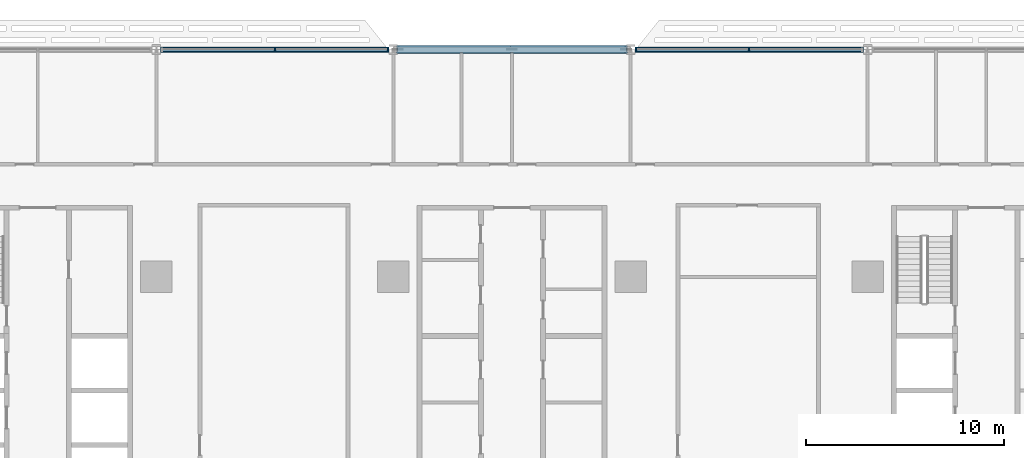
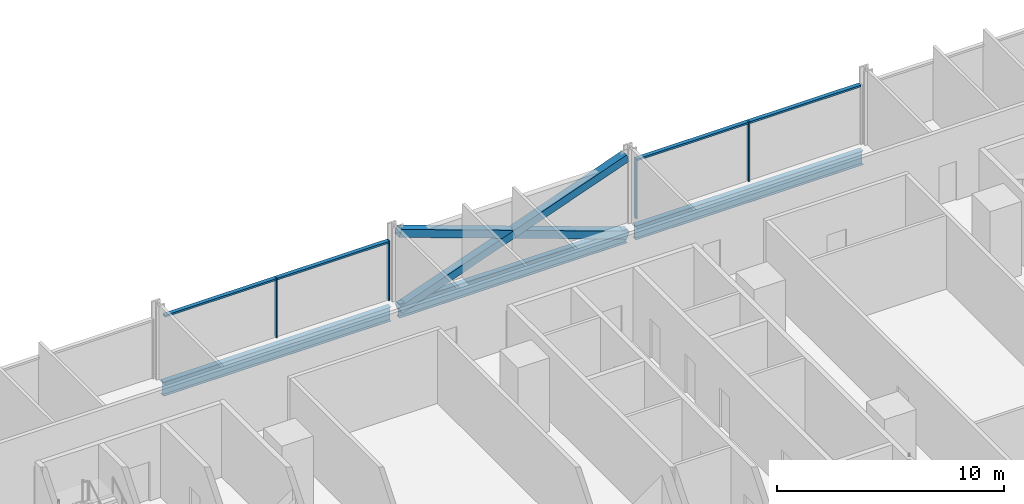
# One storey, part 6 of 29: 11 members, 3 beams, 2 elements without a shape of their own.
"""IFC4 building model written with IfcOpenShell, lengths in metres."""

from ifc_helpers import new_model, si_unit, direction, frame, origin, origin_2d, place, context, subcontext, project, spatial, rectangle, hollow_rectangle, i_section, extrude, material, material_profile, profile_set, type_object, element, aggregate, save


model = new_model("IFC4")

# Units and contexts
model_context = context("Model", 3, precision=1e-05, world=origin(), true_north=direction((0.0, 1.0)))
body_context = subcontext(model_context, "Body", "Model", "MODEL_VIEW")
ifc_project = project(units=[si_unit("LENGTHUNIT", "METRE"), si_unit("AREAUNIT", "SQUARE_METRE"), si_unit("VOLUMEUNIT", "CUBIC_METRE"), si_unit("PLANEANGLEUNIT", "RADIAN"), si_unit("MASSUNIT", "GRAM", prefix="KILO")], contexts=[model_context])

# Site, building, storey
site_placement = place(None, origin())
site = spatial("IfcSite", under=ifc_project, at=site_placement, CompositionType="ELEMENT")
building_placement = place(site_placement, origin())
building = spatial("IfcBuilding", under=site, at=building_placement, Name="Mahtab Terrace Research Tower", CompositionType="ELEMENT")
storey_placement = place(building_placement, frame((0.0, 0.0, 20.10009765625)))
storey = spatial("IfcBuildingStorey", under=building, at=storey_placement, Name="L04", CompositionType="ELEMENT", Elevation=20.10009765625)

# Members
ifc_material_1 = material(Name="Steel ASTM A500 Gr C", Category="steel")
ifc_material_profile_1 = material_profile(ifc_material_1, hollow_rectangle(XDim=0.406494140625, YDim=0.406494140625, WallThickness=0.01904296875, at=origin_2d()), Name="HSS16X16X3/4")
ifc_profile_set_1 = profile_set([ifc_material_profile_1], Name="Steel ASTM A500 Gr C")
member_type_1 = type_object("IfcMemberType", Name="HSS 16x16x3/4 brace XB161634", PredefinedType="BRACE", material=ifc_profile_set_1)
member_1_placement = place(storey_placement, frame((5.7841796875, 23.0, -0.64111328125), z_axis=(-0.941388097231, 0.0, 0.337325436917), x_axis=(0.0, -1.0, 0.0)))
element("IfcMember", 1, at=member_1_placement, inside=storey, type_object=member_type_1, Name="Exoskeleton brace L04 04 a", PredefinedType="BRACE", context=body_context, shape_type="SweptSolid", body=[
    extrude(hollow_rectangle(XDim=0.406494140625, YDim=0.406494140625, WallThickness=0.01904296875, at=origin_2d()), origin(), (0.0, 0.0, 1.0), 12.28857421875),
])
for number, where, z_axis, x_axis, name in (
    (2, (-5.7841796875, 23.0, -0.64111328125), (0.941394406025, 0.0, 0.337307830185), (0.0, 1.0, 0.0), "Exoskeleton brace L04 04 b1"),
    (3, (0.0, 23.0, 1.431396484375), (0.941381788192, 0.0, 0.337343043295), (0.0, 1.0, 0.0), "Exoskeleton brace L04 04 b2"),
):
    element("IfcMember", number, at=place(storey_placement, frame(where, z_axis=z_axis, x_axis=x_axis)), inside=storey, type_object=member_type_1, Name=name, PredefinedType="BRACE", context=body_context, shape_type="SweptSolid", body=[
        extrude(hollow_rectangle(XDim=0.406494140625, YDim=0.406494140625, WallThickness=0.01904296875, at=origin_2d()), origin(), (0.0, 0.0, 1.0), 6.144287109375),
    ])

# Curtain wall, members
ifc_material_2 = material(Name="Laboratory ribbon curtain wall")
curtain_wall_type = type_object("IfcCurtainWallType", Name="Laboratory ribbon curtain wall", PredefinedType="NOTDEFINED", material=ifc_material_2)
curtain_wall_1_placement = place(storey_placement, origin())
curtain_wall_1 = element("IfcCurtainWall", 4, at=curtain_wall_1_placement, inside=storey, type_object=curtain_wall_type, Name="EN.L04.3.5", PredefinedType="NOTDEFINED")
ifc_material_3 = material(Name="Natural anodised aluminium", Category="aluminium")
ifc_material_profile_2 = material_profile(ifc_material_3, rectangle(XDim=0.199951171875, YDim=0.06494140625, at=origin_2d()), Name="MULLION 65x200")
ifc_profile_set_2 = profile_set([ifc_material_profile_2], Name="Natural anodised aluminium")
member_type_2 = type_object("IfcMemberType", Name="Laboratory ribbon curtain wall mullion", PredefinedType="MULLION", material=ifc_profile_set_2)
member_2_placement = place(storey_placement, frame((12.0, 23.0, 0.0), z_axis=(0.0, 0.0, 1.0), x_axis=(0.0, -1.0, 0.0)))
member_2 = element("IfcMember", 5, at=member_2_placement, type_object=member_type_2, Name="CWL-1 mullion 2", PredefinedType="MULLION", context=body_context, shape_type="SweptSolid", body=[
    extrude(rectangle(XDim=0.199951171875, YDim=0.06494140625, at=origin_2d()), origin(), (0.0, 0.0, 1.0), 3.202880859375),
])
member_3_placement = place(storey_placement, frame((6.281494140625, 23.0, 0.0), z_axis=(0.0, 0.0, 1.0), x_axis=(0.0, -1.0, 0.0)))
member_3 = element("IfcMember", 6, at=member_3_placement, type_object=member_type_2, Name="CWL-1 mullion 3", PredefinedType="MULLION", context=body_context, shape_type="SweptSolid", body=[
    extrude(rectangle(XDim=0.199951171875, YDim=0.06494140625, at=origin_2d()), origin(), (0.0, 0.0, 1.0), 3.202880859375),
])

curtain_wall_2_placement = place(storey_placement, origin())
curtain_wall_2 = element("IfcCurtainWall", 7, at=curtain_wall_2_placement, inside=storey, type_object=curtain_wall_type, Name="EN.L04.3.7", PredefinedType="NOTDEFINED")
member_4_placement = place(storey_placement, frame((-6.281494140625, 23.0, 0.0), z_axis=(0.0, 0.0, 1.0), x_axis=(0.0, -1.0, 0.0)))
member_4 = element("IfcMember", 8, at=member_4_placement, type_object=member_type_2, Name="CWL-1 mullion 1", PredefinedType="MULLION", context=body_context, shape_type="SweptSolid", body=[
    extrude(rectangle(XDim=0.199951171875, YDim=0.06494140625, at=origin_2d()), origin(), (0.0, 0.0, 1.0), 3.202880859375),
])
member_5_placement = place(storey_placement, frame((-12.0, 23.0, 0.0), z_axis=(0.0, 0.0, 1.0), x_axis=(0.0, -1.0, 0.0)))
member_5 = element("IfcMember", 9, at=member_5_placement, type_object=member_type_2, Name="CWL-1 mullion 2", PredefinedType="MULLION", context=body_context, shape_type="SweptSolid", body=[
    extrude(rectangle(XDim=0.199951171875, YDim=0.06494140625, at=origin_2d()), origin(), (0.0, 0.0, 1.0), 3.202880859375),
])

# Member
ifc_material_profile_3 = material_profile(ifc_material_3, rectangle(XDim=0.199951171875, YDim=0.10009765625, at=origin_2d()), Name="TRANSOM 100x200")
ifc_profile_set_3 = profile_set([ifc_material_profile_3], Name="Natural anodised aluminium")
member_type_3 = type_object("IfcMemberType", Name="Laboratory ribbon curtain wall transom", PredefinedType="USERDEFINED", material=ifc_profile_set_3)
member_6_placement = place(storey_placement, frame((17.68603515625, 23.0, 3.153076171875), z_axis=(-1.0, 0.0, 0.0), x_axis=(0.0, -1.0, 0.0)))
member_6 = element("IfcMember", 10, at=member_6_placement, type_object=member_type_3, Name="CWL-1 transom 1", ObjectType="TRANSOM", PredefinedType="USERDEFINED", context=body_context, shape_type="SweptSolid", body=[
    extrude(rectangle(XDim=0.199951171875, YDim=0.10009765625, at=origin_2d()), origin(), (0.0, 0.0, 1.0), 5.653564453125),
])

member_7_placement = place(storey_placement, frame((11.967529296875, 23.0, 3.153076171875), z_axis=(-1.0, 0.0, 0.0), x_axis=(0.0, -1.0, 0.0)))
member_7 = element("IfcMember", 11, at=member_7_placement, type_object=member_type_3, Name="CWL-1 transom 2", ObjectType="TRANSOM", PredefinedType="USERDEFINED", context=body_context, shape_type="SweptSolid", body=[
    extrude(rectangle(XDim=0.199951171875, YDim=0.10009765625, at=origin_2d()), origin(), (0.0, 0.0, 1.0), 5.653564453125),
])

aggregate(curtain_wall_1, [member_2, member_3, member_6, member_7])

member_8_placement = place(storey_placement, frame((-6.31396484375, 23.0, 3.153076171875), z_axis=(-1.0, 0.0, 0.0), x_axis=(0.0, -1.0, 0.0)))
member_8 = element("IfcMember", 12, at=member_8_placement, type_object=member_type_3, Name="CWL-1 transom 1", ObjectType="TRANSOM", PredefinedType="USERDEFINED", context=body_context, shape_type="SweptSolid", body=[
    extrude(rectangle(XDim=0.199951171875, YDim=0.10009765625, at=origin_2d()), origin(), (0.0, 0.0, 1.0), 5.653564453125),
])

member_9_placement = place(storey_placement, frame((-12.032470703125, 23.0, 3.153076171875), z_axis=(-1.0, 0.0, 0.0), x_axis=(0.0, -1.0, 0.0)))
member_9 = element("IfcMember", 13, at=member_9_placement, type_object=member_type_3, Name="CWL-1 transom 2", ObjectType="TRANSOM", PredefinedType="USERDEFINED", context=body_context, shape_type="SweptSolid", body=[
    extrude(rectangle(XDim=0.199951171875, YDim=0.10009765625, at=origin_2d()), origin(), (0.0, 0.0, 1.0), 5.653564453125),
])

aggregate(curtain_wall_2, [member_4, member_5, member_8, member_9])

# Beams
ifc_material_4 = material(Name="Steel ASTM A992 Gr 50", Category="steel")
ifc_material_profile_4 = material_profile(ifc_material_4, i_section(OverallWidth=0.2666015625, OverallDepth=0.7568359375, WebThickness=0.013916015625, FlangeThickness=0.019287109375, at=origin_2d()), Name="W30X108")
ifc_profile_set_4 = profile_set([ifc_material_profile_4], Name="Steel ASTM A992 Gr 50")
beam_type = type_object("IfcBeamType", Name="W30x108 beam BS30108", PredefinedType="BEAM", material=ifc_profile_set_4)
for number, where, z_axis, x_axis, name in (
    (14, (17.7841796875, 23.0, -0.718505859375), (-1.0, 0.0, 0.0), (0.0, -1.0, 0.0), "Spandrel beam L04 03"),
    (15, (5.7841796875, 23.0, -0.718505859375), (-1.0, 0.0, 0.0), (0.0, -1.0, 0.0), "Spandrel beam L04 04"),
    (16, (-6.2158203125, 23.0, -0.718505859375), (-1.0, 0.0, 0.0), (0.0, -1.0, 0.0), "Spandrel beam L04 05"),
):
    element("IfcBeam", number, at=place(storey_placement, frame(where, z_axis=z_axis, x_axis=x_axis)), inside=storey, type_object=beam_type, Name=name, PredefinedType="BEAM", context=body_context, shape_type="SweptSolid", body=[
        extrude(i_section(OverallWidth=0.2666015625, OverallDepth=0.7568359375, WebThickness=0.013916015625, FlangeThickness=0.019287109375, at=origin_2d()), origin(), (0.0, 0.0, 1.0), 11.568359375),
    ])

save(model, "model.ifc")
